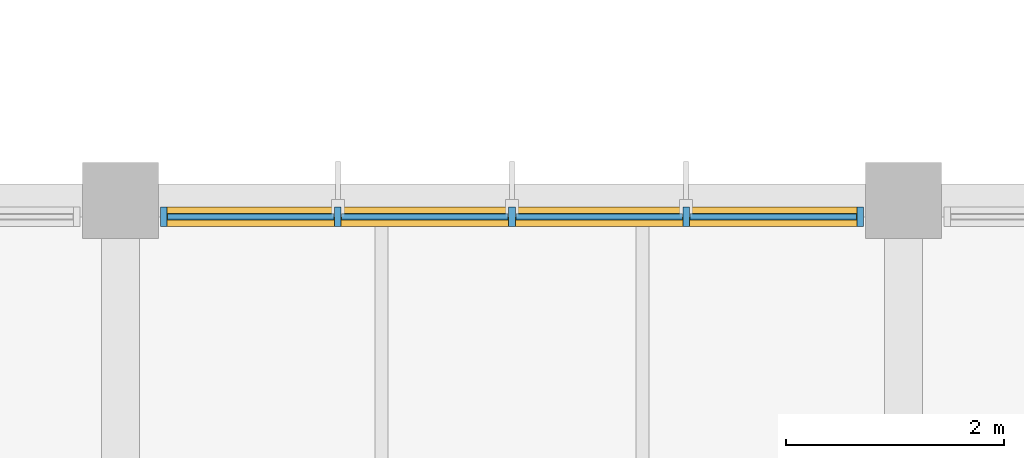
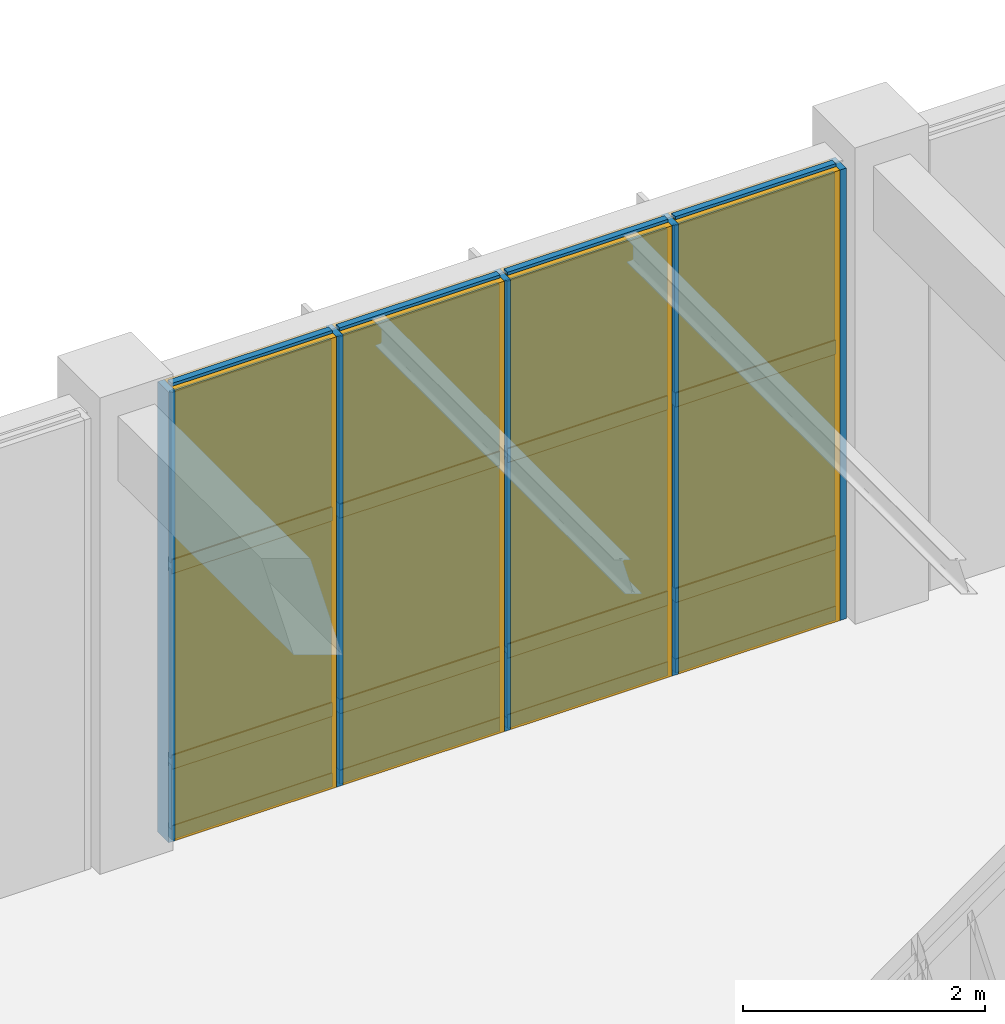
# One storey, part 92 of 122: 21 members, 12 plates, 1 curtain wall.
"""IFC4 building model written with IfcOpenShell, lengths in metres."""

from ifc_helpers import new_model, si_unit, direction, frame, frame_2d, origin, origin_2d, place, context, subcontext, project, spatial, rectangle, extrude, material, layer, layer_set, material_profile, profile_set, type_object, element, aggregate, save


model = new_model("IFC4")

# Units and contexts
model_context = context("Model", 3, precision=1e-05, world=origin(), true_north=direction((0.0, 1.0)))
body_context = subcontext(model_context, "Body", "Model", "MODEL_VIEW")
ifc_project = project(units=[si_unit("LENGTHUNIT", "METRE"), si_unit("AREAUNIT", "SQUARE_METRE"), si_unit("VOLUMEUNIT", "CUBIC_METRE"), si_unit("PLANEANGLEUNIT", "RADIAN"), si_unit("MASSUNIT", "GRAM", prefix="KILO")], contexts=[model_context])

# Member
ifc_material_1 = material(Name="Anodised Bronze Aluminium 6063-T6", Category="aluminium")
ifc_material_profile_1 = material_profile(ifc_material_1, rectangle(XDim=0.06005859375, YDim=0.179931640625, at=origin_2d()), Name="ALU MULLION 60x180")
ifc_profile_set_1 = profile_set([ifc_material_profile_1], Name="Anodised Bronze Aluminium 6063-T6")
member_type_1 = type_object("IfcMemberType", Name="Curtain-Wall Primary Mullion 60x180", PredefinedType="MULLION", material=ifc_profile_set_1)
site_placement = place(None, origin())
building_placement = place(site_placement, origin())
storey_placement = place(building_placement, origin())
member_1_placement = place(storey_placement, frame((110.199951171875, 51.64990234375, 0.0), z_axis=(0.0, 0.0, 1.0), x_axis=(1.0, 0.0, 0.0)))
member_1 = element("IfcMember", 1, at=member_1_placement, type_object=member_type_1, Name="Mullion CWM-01 CW-ELNK-N-L00-B3-M01", PredefinedType="MULLION", context=body_context, shape_type="SweptSolid", body=[
    extrude(rectangle(XDim=0.06005859375, YDim=0.179931640625, at=origin_2d()), origin(), (0.0, 0.0, 1.0), 4.5400390625),
])

member_2_placement = place(storey_placement, frame((111.800048828125, 51.64990234375, 0.0), z_axis=(0.0, 0.0, 1.0), x_axis=(1.0, 0.0, 0.0)))
member_2 = element("IfcMember", 2, at=member_2_placement, type_object=member_type_1, Name="Mullion CWM-01 CW-ELNK-N-L00-B3-M02", PredefinedType="MULLION", context=body_context, shape_type="SweptSolid", body=[
    extrude(rectangle(XDim=0.06005859375, YDim=0.179931640625, at=origin_2d()), origin(), (0.0, 0.0, 1.0), 4.5400390625),
])

member_3_placement = place(storey_placement, frame((113.39990234375, 51.64990234375, 0.0), z_axis=(0.0, 0.0, 1.0), x_axis=(1.0, 0.0, 0.0)))
member_3 = element("IfcMember", 3, at=member_3_placement, type_object=member_type_1, Name="Mullion CWM-01 CW-ELNK-N-L00-B3-M03", PredefinedType="MULLION", context=body_context, shape_type="SweptSolid", body=[
    extrude(rectangle(XDim=0.06005859375, YDim=0.179931640625, at=origin_2d()), origin(), (0.0, 0.0, 1.0), 4.5400390625),
])

member_4_placement = place(storey_placement, frame((115.0, 51.64990234375, 0.0), z_axis=(0.0, 0.0, 1.0), x_axis=(1.0, 0.0, 0.0)))
member_4 = element("IfcMember", 4, at=member_4_placement, type_object=member_type_1, Name="Mullion CWM-01 CW-ELNK-N-L00-B3-M04", PredefinedType="MULLION", context=body_context, shape_type="SweptSolid", body=[
    extrude(rectangle(XDim=0.06005859375, YDim=0.179931640625, at=origin_2d()), origin(), (0.0, 0.0, 1.0), 4.5400390625),
])

member_5_placement = place(storey_placement, frame((116.60009765625, 51.64990234375, 0.0), z_axis=(0.0, 0.0, 1.0), x_axis=(1.0, 0.0, 0.0)))
member_5 = element("IfcMember", 5, at=member_5_placement, type_object=member_type_1, Name="Mullion CWM-01 CW-ELNK-N-L00-B3-M05", PredefinedType="MULLION", context=body_context, shape_type="SweptSolid", body=[
    extrude(rectangle(XDim=0.06005859375, YDim=0.179931640625, at=origin_2d()), origin(), (0.0, 0.0, 1.0), 4.5400390625),
])

ifc_material_profile_2 = material_profile(ifc_material_1, rectangle(XDim=0.06005859375, YDim=0.139892578125, at=origin_2d()), Name="ALU TRANSOM 60x140")
ifc_profile_set_2 = profile_set([ifc_material_profile_2], Name="Anodised Bronze Aluminium 6063-T6")
member_type_2 = type_object("IfcMemberType", Name="Curtain-Wall Transom 60x140", PredefinedType="USERDEFINED", material=ifc_profile_set_2)
member_6_placement = place(storey_placement, frame((110.235107421875, 51.64990234375, 0.0400390625), z_axis=(1.0, 0.0, 0.0), x_axis=(0.0, 1.0, 0.0)))
member_6 = element("IfcMember", 6, at=member_6_placement, type_object=member_type_2, Name="Transom CWT-01 CW-ELNK-N-L00-B3-T01.1", ObjectType="TRANSOM", PredefinedType="USERDEFINED", context=body_context, shape_type="SweptSolid", body=[
    extrude(rectangle(XDim=0.06005859375, YDim=0.139892578125, at=origin_2d()), origin(), (0.0, 0.0, 1.0), 1.52978515625),
])

member_7_placement = place(storey_placement, frame((110.235107421875, 51.64990234375, 0.75), z_axis=(1.0, 0.0, 0.0), x_axis=(0.0, 1.0, 0.0)))
member_7 = element("IfcMember", 7, at=member_7_placement, type_object=member_type_2, Name="Transom CWT-01 CW-ELNK-N-L00-B3-T01.2", ObjectType="TRANSOM", PredefinedType="USERDEFINED", context=body_context, shape_type="SweptSolid", body=[
    extrude(rectangle(XDim=0.06005859375, YDim=0.139892578125, at=origin_2d()), origin(), (0.0, 0.0, 1.0), 1.52978515625),
])

member_8_placement = place(storey_placement, frame((110.235107421875, 51.64990234375, 2.720703125), z_axis=(1.0, 0.0, 0.0), x_axis=(0.0, 1.0, 0.0)))
member_8 = element("IfcMember", 8, at=member_8_placement, type_object=member_type_2, Name="Transom CWT-01 CW-ELNK-N-L00-B3-T01.3", ObjectType="TRANSOM", PredefinedType="USERDEFINED", context=body_context, shape_type="SweptSolid", body=[
    extrude(rectangle(XDim=0.06005859375, YDim=0.139892578125, at=origin_2d()), origin(), (0.0, 0.0, 1.0), 1.52978515625),
])

member_9_placement = place(storey_placement, frame((110.235107421875, 51.64990234375, 4.5), z_axis=(1.0, 0.0, 0.0), x_axis=(0.0, 1.0, 0.0)))
member_9 = element("IfcMember", 9, at=member_9_placement, type_object=member_type_2, Name="Transom CWT-01 CW-ELNK-N-L00-B3-T01.4", ObjectType="TRANSOM", PredefinedType="USERDEFINED", context=body_context, shape_type="SweptSolid", body=[
    extrude(rectangle(XDim=0.06005859375, YDim=0.139892578125, at=origin_2d()), origin(), (0.0, 0.0, 1.0), 1.52978515625),
])

member_10_placement = place(storey_placement, frame((111.8349609375, 51.64990234375, 0.0400390625), z_axis=(1.0, 0.0, 0.0), x_axis=(0.0, 1.0, 0.0)))
member_10 = element("IfcMember", 10, at=member_10_placement, type_object=member_type_2, Name="Transom CWT-01 CW-ELNK-N-L00-B3-T02.1", ObjectType="TRANSOM", PredefinedType="USERDEFINED", context=body_context, shape_type="SweptSolid", body=[
    extrude(rectangle(XDim=0.06005859375, YDim=0.139892578125, at=origin_2d()), origin(), (0.0, 0.0, 1.0), 1.530029296875),
])

member_11_placement = place(storey_placement, frame((111.8349609375, 51.64990234375, 0.75), z_axis=(1.0, 0.0, 0.0), x_axis=(0.0, 1.0, 0.0)))
member_11 = element("IfcMember", 11, at=member_11_placement, type_object=member_type_2, Name="Transom CWT-01 CW-ELNK-N-L00-B3-T02.2", ObjectType="TRANSOM", PredefinedType="USERDEFINED", context=body_context, shape_type="SweptSolid", body=[
    extrude(rectangle(XDim=0.06005859375, YDim=0.139892578125, at=origin_2d()), origin(), (0.0, 0.0, 1.0), 1.530029296875),
])

member_12_placement = place(storey_placement, frame((111.8349609375, 51.64990234375, 2.720703125), z_axis=(1.0, 0.0, 0.0), x_axis=(0.0, 1.0, 0.0)))
member_12 = element("IfcMember", 12, at=member_12_placement, type_object=member_type_2, Name="Transom CWT-01 CW-ELNK-N-L00-B3-T02.3", ObjectType="TRANSOM", PredefinedType="USERDEFINED", context=body_context, shape_type="SweptSolid", body=[
    extrude(rectangle(XDim=0.06005859375, YDim=0.139892578125, at=origin_2d()), origin(), (0.0, 0.0, 1.0), 1.530029296875),
])

member_13_placement = place(storey_placement, frame((111.8349609375, 51.64990234375, 4.5), z_axis=(1.0, 0.0, 0.0), x_axis=(0.0, 1.0, 0.0)))
member_13 = element("IfcMember", 13, at=member_13_placement, type_object=member_type_2, Name="Transom CWT-01 CW-ELNK-N-L00-B3-T02.4", ObjectType="TRANSOM", PredefinedType="USERDEFINED", context=body_context, shape_type="SweptSolid", body=[
    extrude(rectangle(XDim=0.06005859375, YDim=0.139892578125, at=origin_2d()), origin(), (0.0, 0.0, 1.0), 1.530029296875),
])

member_14_placement = place(storey_placement, frame((113.43505859375, 51.64990234375, 0.0400390625), z_axis=(1.0, 0.0, 0.0), x_axis=(0.0, 1.0, 0.0)))
member_14 = element("IfcMember", 14, at=member_14_placement, type_object=member_type_2, Name="Transom CWT-01 CW-ELNK-N-L00-B3-T03.1", ObjectType="TRANSOM", PredefinedType="USERDEFINED", context=body_context, shape_type="SweptSolid", body=[
    extrude(rectangle(XDim=0.06005859375, YDim=0.139892578125, at=origin_2d()), origin(), (0.0, 0.0, 1.0), 1.530029296875),
])

member_15_placement = place(storey_placement, frame((113.43505859375, 51.64990234375, 0.75), z_axis=(1.0, 0.0, 0.0), x_axis=(0.0, 1.0, 0.0)))
member_15 = element("IfcMember", 15, at=member_15_placement, type_object=member_type_2, Name="Transom CWT-01 CW-ELNK-N-L00-B3-T03.2", ObjectType="TRANSOM", PredefinedType="USERDEFINED", context=body_context, shape_type="SweptSolid", body=[
    extrude(rectangle(XDim=0.06005859375, YDim=0.139892578125, at=origin_2d()), origin(), (0.0, 0.0, 1.0), 1.530029296875),
])

member_16_placement = place(storey_placement, frame((113.43505859375, 51.64990234375, 2.720703125), z_axis=(1.0, 0.0, 0.0), x_axis=(0.0, 1.0, 0.0)))
member_16 = element("IfcMember", 16, at=member_16_placement, type_object=member_type_2, Name="Transom CWT-01 CW-ELNK-N-L00-B3-T03.3", ObjectType="TRANSOM", PredefinedType="USERDEFINED", context=body_context, shape_type="SweptSolid", body=[
    extrude(rectangle(XDim=0.06005859375, YDim=0.139892578125, at=origin_2d()), origin(), (0.0, 0.0, 1.0), 1.530029296875),
])

member_17_placement = place(storey_placement, frame((113.43505859375, 51.64990234375, 4.5), z_axis=(1.0, 0.0, 0.0), x_axis=(0.0, 1.0, 0.0)))
member_17 = element("IfcMember", 17, at=member_17_placement, type_object=member_type_2, Name="Transom CWT-01 CW-ELNK-N-L00-B3-T03.4", ObjectType="TRANSOM", PredefinedType="USERDEFINED", context=body_context, shape_type="SweptSolid", body=[
    extrude(rectangle(XDim=0.06005859375, YDim=0.139892578125, at=origin_2d()), origin(), (0.0, 0.0, 1.0), 1.530029296875),
])

member_18_placement = place(storey_placement, frame((115.034912109375, 51.64990234375, 0.0400390625), z_axis=(1.0, 0.0, 0.0), x_axis=(0.0, 1.0, 0.0)))
member_18 = element("IfcMember", 18, at=member_18_placement, type_object=member_type_2, Name="Transom CWT-01 CW-ELNK-N-L00-B3-T04.1", ObjectType="TRANSOM", PredefinedType="USERDEFINED", context=body_context, shape_type="SweptSolid", body=[
    extrude(rectangle(XDim=0.06005859375, YDim=0.139892578125, at=origin_2d()), origin(), (0.0, 0.0, 1.0), 1.530029296875),
])

member_19_placement = place(storey_placement, frame((115.034912109375, 51.64990234375, 0.75), z_axis=(1.0, 0.0, 0.0), x_axis=(0.0, 1.0, 0.0)))
member_19 = element("IfcMember", 19, at=member_19_placement, type_object=member_type_2, Name="Transom CWT-01 CW-ELNK-N-L00-B3-T04.2", ObjectType="TRANSOM", PredefinedType="USERDEFINED", context=body_context, shape_type="SweptSolid", body=[
    extrude(rectangle(XDim=0.06005859375, YDim=0.139892578125, at=origin_2d()), origin(), (0.0, 0.0, 1.0), 1.530029296875),
])

member_20_placement = place(storey_placement, frame((115.034912109375, 51.64990234375, 2.720703125), z_axis=(1.0, 0.0, 0.0), x_axis=(0.0, 1.0, 0.0)))
member_20 = element("IfcMember", 20, at=member_20_placement, type_object=member_type_2, Name="Transom CWT-01 CW-ELNK-N-L00-B3-T04.3", ObjectType="TRANSOM", PredefinedType="USERDEFINED", context=body_context, shape_type="SweptSolid", body=[
    extrude(rectangle(XDim=0.06005859375, YDim=0.139892578125, at=origin_2d()), origin(), (0.0, 0.0, 1.0), 1.530029296875),
])

member_21_placement = place(storey_placement, frame((115.034912109375, 51.64990234375, 4.5), z_axis=(1.0, 0.0, 0.0), x_axis=(0.0, 1.0, 0.0)))
member_21 = element("IfcMember", 21, at=member_21_placement, type_object=member_type_2, Name="Transom CWT-01 CW-ELNK-N-L00-B3-T04.4", ObjectType="TRANSOM", PredefinedType="USERDEFINED", context=body_context, shape_type="SweptSolid", body=[
    extrude(rectangle(XDim=0.06005859375, YDim=0.139892578125, at=origin_2d()), origin(), (0.0, 0.0, 1.0), 1.530029296875),
])

# Plate
ifc_material_2 = material(Name="Insulated Bronze Aluminium Spandrel Panel", Category="aluminium")
ifc_layer_1 = layer(ifc_material_2, 0.050048828125, Name="Insulated Bronze Aluminium Spandrel Panel")
ifc_layer_set_1 = layer_set([ifc_layer_1], Name="Insulated Bronze Aluminium Spandrel Panel")
plate_type_1 = type_object("IfcPlateType", Name="Insulated Anodised Aluminium Spandrel Cassette 50", PredefinedType="CURTAIN_PANEL", material=ifc_layer_set_1)
plate_1_placement = place(storey_placement, frame((111.0, 51.64990234375, 0.070068359375), z_axis=(0.0, 0.0, 1.0), x_axis=(1.0, 0.0, 0.0)))
plate_1 = element("IfcPlate", 22, at=plate_1_placement, type_object=plate_type_1, Name="Curtain Panel CWP-03 CW-ELNK-N-L00-B3-P01.1", PredefinedType="CURTAIN_PANEL", context=body_context, shape_type="SweptSolid", body=[
    extrude(rectangle(XDim=1.530029296875, YDim=0.050048828125, at=origin_2d()), origin(), (0.0, 0.0, 1.0), 0.64990234375),
])

plate_2_placement = place(storey_placement, frame((112.60009765625, 51.64990234375, 0.070068359375), z_axis=(0.0, 0.0, 1.0), x_axis=(1.0, 0.0, 0.0)))
plate_2 = element("IfcPlate", 23, at=plate_2_placement, type_object=plate_type_1, Name="Curtain Panel CWP-03 CW-ELNK-N-L00-B3-P02.1", PredefinedType="CURTAIN_PANEL", context=body_context, shape_type="SweptSolid", body=[
    extrude(rectangle(XDim=1.530029296875, YDim=0.050048828125, at=origin_2d()), origin(), (0.0, 0.0, 1.0), 0.64990234375),
])

plate_3_placement = place(storey_placement, frame((114.199951171875, 51.64990234375, 0.070068359375), z_axis=(0.0, 0.0, 1.0), x_axis=(1.0, 0.0, 0.0)))
plate_3 = element("IfcPlate", 24, at=plate_3_placement, type_object=plate_type_1, Name="Curtain Panel CWP-03 CW-ELNK-N-L00-B3-P03.1", PredefinedType="CURTAIN_PANEL", context=body_context, shape_type="SweptSolid", body=[
    extrude(rectangle(XDim=1.530029296875, YDim=0.050048828125, at=origin_2d()), origin(), (0.0, 0.0, 1.0), 0.64990234375),
])

plate_4_placement = place(storey_placement, frame((115.800048828125, 51.64990234375, 0.070068359375), z_axis=(0.0, 0.0, 1.0), x_axis=(1.0, 0.0, 0.0)))
plate_4 = element("IfcPlate", 25, at=plate_4_placement, type_object=plate_type_1, Name="Curtain Panel CWP-03 CW-ELNK-N-L00-B3-P04.1", PredefinedType="CURTAIN_PANEL", context=body_context, shape_type="SweptSolid", body=[
    extrude(rectangle(XDim=1.530029296875, YDim=0.050048828125, at=origin_2d()), origin(), (0.0, 0.0, 1.0), 0.64990234375),
])

ifc_material_3 = material(Name="Solar-Control Tempered Double Glazing", Category="glass")
ifc_layer_2 = layer(ifc_material_3, 0.0380859375, Name="Solar-Control Tempered Double Glazing")
ifc_layer_set_2 = layer_set([ifc_layer_2], Name="Solar-Control Tempered Double Glazing")
plate_type_2 = type_object("IfcPlateType", Name="Solar-Control Vision Glazing Unit 38", PredefinedType="CURTAIN_PANEL", material=ifc_layer_set_2)
plate_5_placement = place(storey_placement, frame((111.0, 51.64990234375, 0.77978515625), z_axis=(0.0, 0.0, 1.0), x_axis=(1.0, 0.0, 0.0)))
plate_5 = element("IfcPlate", 26, at=plate_5_placement, type_object=plate_type_2, Name="Curtain Panel CWP-02 CW-ELNK-N-L00-B3-P01.2", PredefinedType="CURTAIN_PANEL", context=body_context, shape_type="SweptSolid", body=[
    extrude(rectangle(XDim=1.530029296875, YDim=0.0380859375, at=origin_2d()), origin(), (0.0, 0.0, 1.0), 1.910888671875),
])

plate_6_placement = place(storey_placement, frame((111.0, 51.64990234375, 2.750732421875), z_axis=(0.0, 0.0, 1.0), x_axis=(1.0, 0.0, 0.0)))
plate_6 = element("IfcPlate", 27, at=plate_6_placement, type_object=plate_type_2, Name="Curtain Panel CWP-02 CW-ELNK-N-L00-B3-P01.3", PredefinedType="CURTAIN_PANEL", context=body_context, shape_type="SweptSolid", body=[
    extrude(rectangle(XDim=1.530029296875, YDim=0.0380859375, at=origin_2d()), origin(), (0.0, 0.0, 1.0), 1.71923828125),
])

plate_7_placement = place(storey_placement, frame((112.60009765625, 51.64990234375, 0.77978515625), z_axis=(0.0, 0.0, 1.0), x_axis=(1.0, 0.0, 0.0)))
plate_7 = element("IfcPlate", 28, at=plate_7_placement, type_object=plate_type_2, Name="Curtain Panel CWP-02 CW-ELNK-N-L00-B3-P02.2", PredefinedType="CURTAIN_PANEL", context=body_context, shape_type="SweptSolid", body=[
    extrude(rectangle(XDim=1.530029296875, YDim=0.0380859375, at=origin_2d()), origin(), (0.0, 0.0, 1.0), 1.910888671875),
])

plate_8_placement = place(storey_placement, frame((112.60009765625, 51.64990234375, 2.750732421875), z_axis=(0.0, 0.0, 1.0), x_axis=(1.0, 0.0, 0.0)))
plate_8 = element("IfcPlate", 29, at=plate_8_placement, type_object=plate_type_2, Name="Curtain Panel CWP-02 CW-ELNK-N-L00-B3-P02.3", PredefinedType="CURTAIN_PANEL", context=body_context, shape_type="SweptSolid", body=[
    extrude(rectangle(XDim=1.530029296875, YDim=0.0380859375, at=origin_2d()), origin(), (0.0, 0.0, 1.0), 1.71923828125),
])

plate_9_placement = place(storey_placement, frame((114.199951171875, 51.64990234375, 0.77978515625), z_axis=(0.0, 0.0, 1.0), x_axis=(1.0, 0.0, 0.0)))
plate_9 = element("IfcPlate", 30, at=plate_9_placement, type_object=plate_type_2, Name="Curtain Panel CWP-02 CW-ELNK-N-L00-B3-P03.2", PredefinedType="CURTAIN_PANEL", context=body_context, shape_type="SweptSolid", body=[
    extrude(rectangle(XDim=1.530029296875, YDim=0.0380859375, at=origin_2d()), origin(), (0.0, 0.0, 1.0), 1.910888671875),
])

plate_10_placement = place(storey_placement, frame((114.199951171875, 51.64990234375, 2.750732421875), z_axis=(0.0, 0.0, 1.0), x_axis=(1.0, 0.0, 0.0)))
plate_10 = element("IfcPlate", 31, at=plate_10_placement, type_object=plate_type_2, Name="Curtain Panel CWP-02 CW-ELNK-N-L00-B3-P03.3", PredefinedType="CURTAIN_PANEL", context=body_context, shape_type="SweptSolid", body=[
    extrude(rectangle(XDim=1.530029296875, YDim=0.0380859375, at=origin_2d()), origin(), (0.0, 0.0, 1.0), 1.71923828125),
])

plate_11_placement = place(storey_placement, frame((115.800048828125, 51.64990234375, 0.77978515625), z_axis=(0.0, 0.0, 1.0), x_axis=(1.0, 0.0, 0.0)))
plate_11 = element("IfcPlate", 32, at=plate_11_placement, type_object=plate_type_2, Name="Curtain Panel CWP-02 CW-ELNK-N-L00-B3-P04.2", PredefinedType="CURTAIN_PANEL", context=body_context, shape_type="SweptSolid", body=[
    extrude(rectangle(XDim=1.530029296875, YDim=0.0380859375, at=origin_2d()), origin(), (0.0, 0.0, 1.0), 1.910888671875),
])

plate_12_placement = place(storey_placement, frame((115.800048828125, 51.64990234375, 2.750732421875), z_axis=(0.0, 0.0, 1.0), x_axis=(1.0, 0.0, 0.0)))
plate_12 = element("IfcPlate", 33, at=plate_12_placement, type_object=plate_type_2, Name="Curtain Panel CWP-02 CW-ELNK-N-L00-B3-P04.3", PredefinedType="CURTAIN_PANEL", context=body_context, shape_type="SweptSolid", body=[
    extrude(rectangle(XDim=1.530029296875, YDim=0.0380859375, at=origin_2d()), origin(), (0.0, 0.0, 1.0), 1.71923828125),
])

# Site, building, storey
site = spatial("IfcSite", under=ifc_project, at=site_placement, CompositionType="ELEMENT")
building = spatial("IfcBuilding", under=site, at=building_placement, Name="Tazoul Stagehouse", CompositionType="ELEMENT")
storey = spatial("IfcBuildingStorey", under=building, at=storey_placement, Name="L00", CompositionType="ELEMENT", Elevation=0.0)

# Curtain wall
curtain_wall_type = type_object("IfcCurtainWallType", Name="Atrium Clerestory Glazed Wall", PredefinedType="NOTDEFINED", material=ifc_material_1)
curtain_wall_placement = place(storey_placement, frame((110.199951171875, 51.64990234375, 0.0), z_axis=(0.0, 0.0, 1.0), x_axis=(1.0, 0.0, 0.0)))
curtain_wall = element("IfcCurtainWall", 34, at=curtain_wall_placement, inside=storey, type_object=curtain_wall_type, Name="L00 Curtain Wall CW-05 (CW-ELNK-N-L00-B3)", PredefinedType="NOTDEFINED", context=body_context, shape_type="SweptSolid", body=[
    extrude(rectangle(XDim=6.400146484375, YDim=0.179931640625, at=frame_2d((3.2001953125, 0.0))), origin(), (0.0, 0.0, 1.0), 4.5400390625),
])

aggregate(curtain_wall, [member_1, member_2, member_3, member_4, member_5, member_6, member_7, member_8, member_9, plate_1, plate_5, plate_6, member_10, member_11, member_12, member_13, plate_2, plate_7, plate_8, member_14, member_15, member_16, member_17, plate_3, plate_9, plate_10, member_18, member_19, member_20, member_21, plate_4, plate_11, plate_12])

save(model, "model.ifc")
